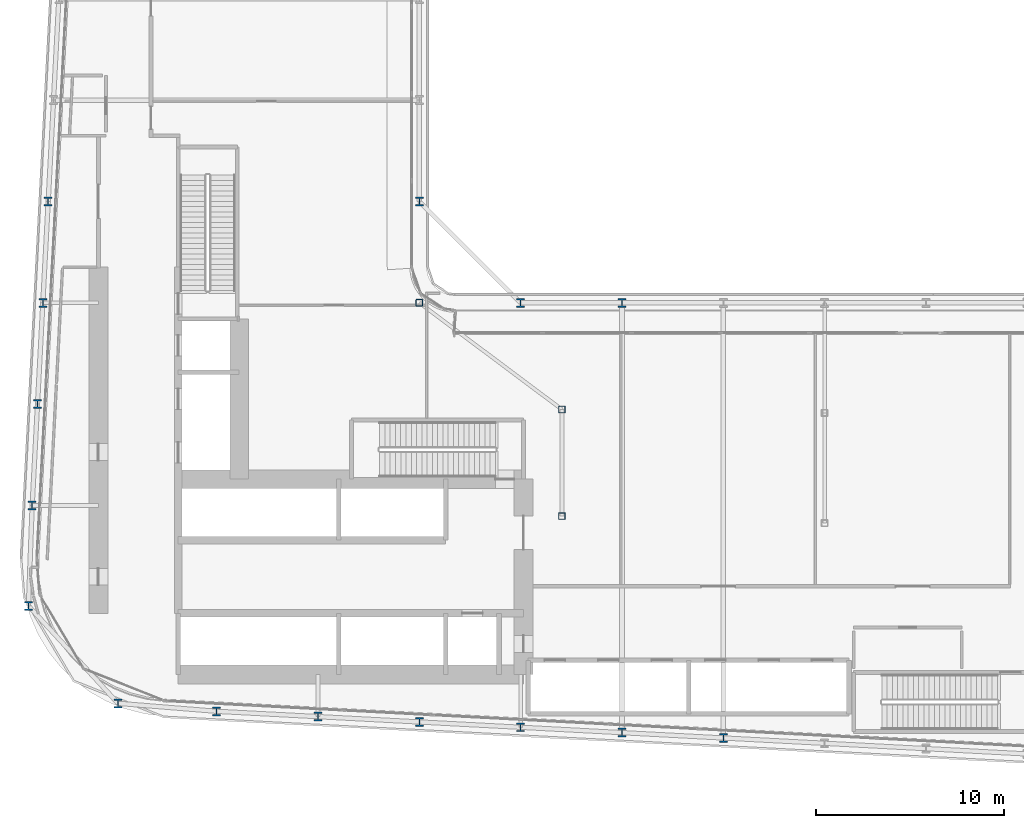
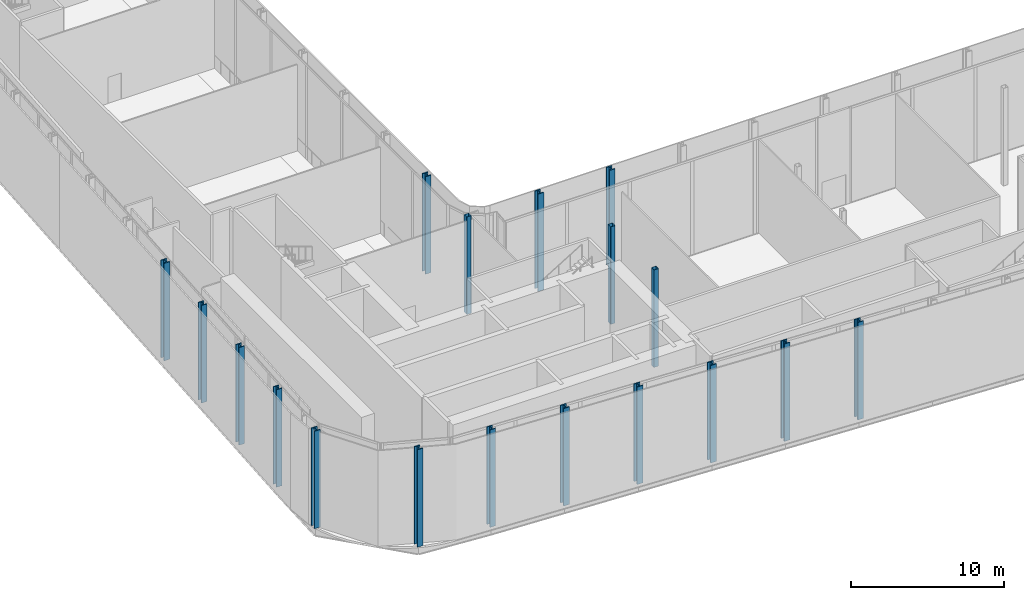
# One storey, part 1 of 36: 18 columns.
"""IFC4 building model written with IfcOpenShell, lengths in metres."""

from ifc_helpers import new_model, si_unit, direction, frame, origin, origin_2d, place, context, subcontext, project, spatial, hollow_rectangle, i_section, extrude, material, material_profile, profile_set, type_object, element, save


model = new_model("IFC4")

# Units and contexts
model_context = context("Model", 3, precision=1e-05, world=origin(), true_north=direction((0.0, 1.0)))
body_context = subcontext(model_context, "Body", "Model", "MODEL_VIEW")
ifc_project = project(units=[si_unit("LENGTHUNIT", "METRE"), si_unit("AREAUNIT", "SQUARE_METRE"), si_unit("VOLUMEUNIT", "CUBIC_METRE"), si_unit("PLANEANGLEUNIT", "RADIAN"), si_unit("MASSUNIT", "GRAM", prefix="KILO")], contexts=[model_context])

# Site, building, storey
site_placement = place(None, origin())
site = spatial("IfcSite", under=ifc_project, at=site_placement, CompositionType="ELEMENT")
building_placement = place(site_placement, origin())
building = spatial("IfcBuilding", under=site, at=building_placement, Name="Kheshtan School and Residences Tower", CompositionType="ELEMENT")
storey_placement = place(building_placement, frame((0.0, 0.0, 81.199951171875)))
storey = spatial("IfcBuildingStorey", under=building, at=storey_placement, Name="L19", CompositionType="ELEMENT", Elevation=81.199951171875)

# Columns
ifc_material_1 = material(Name="Steel ASTM A992 Grade 50", Category="steel")
ifc_material_profile_1 = material_profile(ifc_material_1, i_section(OverallWidth=0.424072265625, OverallDepth=0.47412109375, WebThickness=0.047607421875, FlangeThickness=0.0771484375, FilletRadius=0.01416015625, at=origin_2d()), Name="W360x634")
ifc_profile_set_1 = profile_set([ifc_material_profile_1], Name="Steel ASTM A992 Grade 50")
column_type_1 = type_object("IfcColumnType", Name="Column C1 W360x634 ASTM A992 Grade 50", PredefinedType="COLUMN", material=ifc_profile_set_1)
for number, where, z_axis, x_axis, name in (
    (1, (63.800048828125, 22.410888671875, 0.0), (0.0, 0.0, 1.0), (1.0, 0.0, 0.0), "Column C016"),
    (2, (58.39990234375, 22.695068359375, 0.0), (0.0, 0.0, 1.0), (1.0, 0.0, 0.0), "Column C018"),
    (3, (53.0, 22.97998046875, 0.0), (0.0, 0.0, 1.0), (1.0, 0.0, 0.0), "Column C019"),
    (4, (47.60009765625, 23.263916015625, 0.0), (0.0, 0.0, 1.0), (1.0, 0.0, 0.0), "Column C020"),
    (5, (42.199951171875, 23.548095703125, 0.0), (0.0, 0.0, 1.0), (1.0, 0.0, 0.0), "Column C021"),
    (6, (36.800048828125, 23.83203125, 0.0), (0.0, 0.0, 1.0), (1.0, 0.0, 0.0), "Column C022"),
    (7, (31.5419921875, 24.257080078125, 0.0), (0.0, 0.0, 1.0), (1.0, 0.0, 0.0), "Column C025"),
    (8, (26.76904296875, 29.4541015625, 0.0), (0.0, 0.0, 1.0), (1.0, 0.0, 0.0), "Column C038"),
    (9, (26.968994140625, 34.800048828125, 0.0), (0.0, 0.0, 1.0), (1.0, 0.0, 0.0), "Column C052"),
    (10, (27.2529296875, 40.199951171875, 0.0), (0.0, 0.0, 1.0), (1.0, 0.0, 0.0), "Column C056"),
    (11, (27.537109375, 45.60009765625, 0.0), (0.0, 0.0, 1.0), (1.0, 0.0, 0.0), "Column C059"),
    (12, (53.0, 45.60009765625, 0.0), (0.0, 0.0, 1.0), (1.0, 0.0, 0.0), "Column C061"),
    (13, (58.39990234375, 45.60009765625, 0.0), (0.0, 0.0, 1.0), (1.0, 0.0, 0.0), "Column C062"),
    (14, (27.822021484375, 51.0, 0.0), (0.0, 0.0, 1.0), (1.0, 0.0, 0.0), "Column C078"),
    (15, (47.60009765625, 51.0, 0.0), (0.0, 0.0, 1.0), (1.0, 0.0, 0.0), "Column C079"),
):
    element("IfcColumn", number, at=place(storey_placement, frame(where, z_axis=z_axis, x_axis=x_axis)), inside=storey, type_object=column_type_1, Name=name, PredefinedType="COLUMN", context=body_context, shape_type="SweptSolid", body=[
        extrude(i_section(OverallWidth=0.424072265625, OverallDepth=0.47412109375, WebThickness=0.047607421875, FlangeThickness=0.0771484375, FilletRadius=0.01416015625, at=origin_2d()), origin(), (0.0, 0.0, 1.0), 7.800048828125),
    ])
ifc_material_2 = material(Name="Steel ASTM A500 Grade C", Category="steel")
ifc_material_profile_2 = material_profile(ifc_material_2, hollow_rectangle(XDim=0.35595703125, YDim=0.35595703125, WallThickness=0.015869140625, InnerFilletRadius=0.015869140625, OuterFilletRadius=0.03173828125, at=origin_2d()), Name="HSS 356x356x15.9")
ifc_profile_set_2 = profile_set([ifc_material_profile_2], Name="Steel ASTM A500 Grade C")
column_type_2 = type_object("IfcColumnType", Name="Column IC1 HSS 356x356x15.9 ASTM A500 Grade C", PredefinedType="COLUMN", material=ifc_profile_set_2)
for number, where, z_axis, x_axis, name in (
    (16, (55.199951171875, 34.23193359375, 0.0), (0.0, 0.0, 1.0), (1.0, 0.0, 0.0), "Column C051"),
    (17, (55.199951171875, 39.916015625, 0.0), (0.0, 0.0, 1.0), (1.0, 0.0, 0.0), "Column C055"),
    (18, (47.60009765625, 45.60009765625, 0.0), (0.0, 0.0, 1.0), (1.0, 0.0, 0.0), "Column C060"),
):
    element("IfcColumn", number, at=place(storey_placement, frame(where, z_axis=z_axis, x_axis=x_axis)), inside=storey, type_object=column_type_2, Name=name, PredefinedType="COLUMN", context=body_context, shape_type="SweptSolid", body=[
        extrude(hollow_rectangle(XDim=0.35595703125, YDim=0.35595703125, WallThickness=0.015869140625, InnerFilletRadius=0.015869140625, OuterFilletRadius=0.03173828125, at=origin_2d()), origin(), (0.0, 0.0, 1.0), 7.800048828125),
    ])

save(model, "model.ifc")
